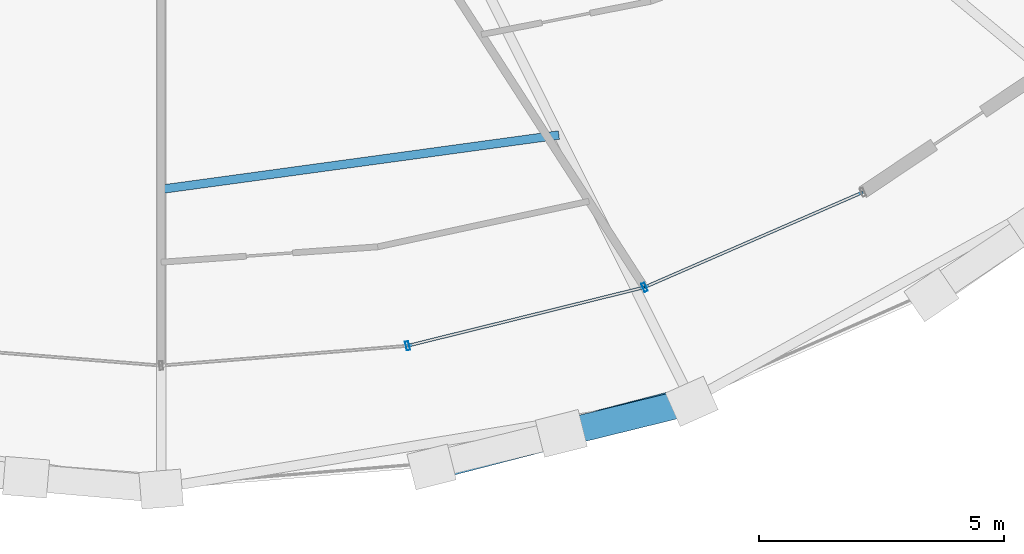
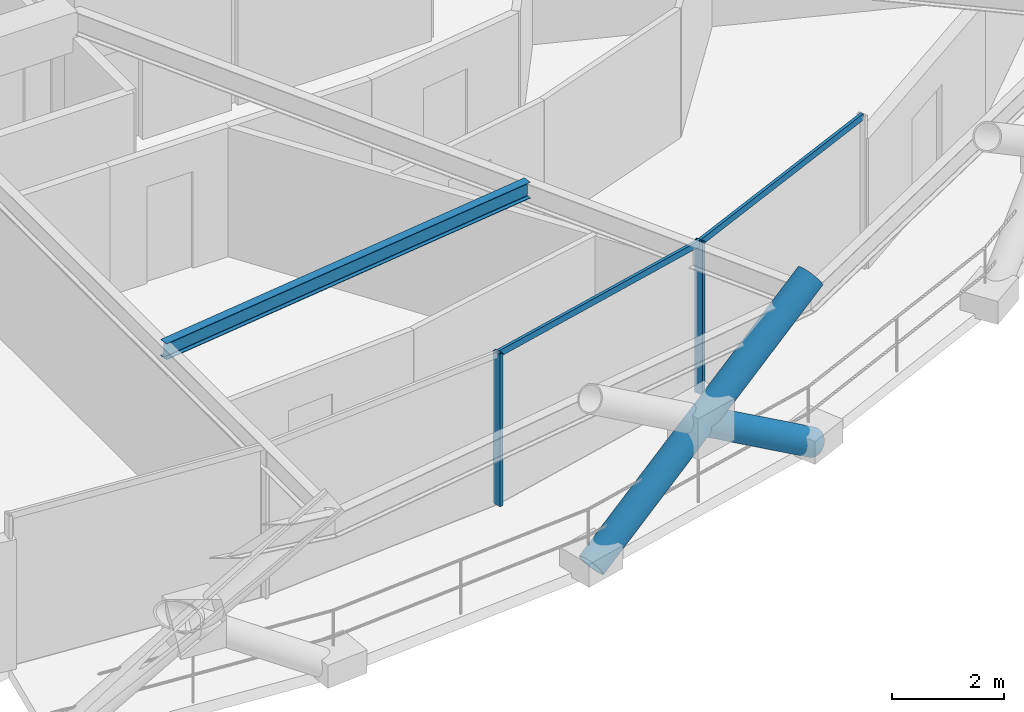
# One storey, part 4 of 20: 6 members, 1 beam, 1 element without a shape of its own.
"""IFC4 building model written with IfcOpenShell, lengths in metres."""

from ifc_helpers import new_model, si_unit, direction, frame, origin, origin_2d, place, context, subcontext, project, spatial, hollow_rectangle, hollow_circle, i_section, extrude, material, layer, layer_set, material_profile, profile_set, type_object, element, aggregate, save


model = new_model("IFC4")

# Units and contexts
model_context = context("Model", 3, precision=1e-05, world=origin(), true_north=direction((0.0, 1.0)))
body_context = subcontext(model_context, "Body", "Model", "MODEL_VIEW")
ifc_project = project(units=[si_unit("LENGTHUNIT", "METRE"), si_unit("AREAUNIT", "SQUARE_METRE"), si_unit("VOLUMEUNIT", "CUBIC_METRE"), si_unit("PLANEANGLEUNIT", "RADIAN"), si_unit("MASSUNIT", "GRAM", prefix="KILO")], contexts=[model_context])

# Site, building, storey
site_placement = place(None, origin())
site = spatial("IfcSite", under=ifc_project, at=site_placement, CompositionType="ELEMENT")
building_placement = place(site_placement, origin())
building = spatial("IfcBuilding", under=site, at=building_placement, Name="Veldorina Hangang Commons", CompositionType="ELEMENT")
storey_placement = place(building_placement, frame((0.0, 0.0, 153.199951171875)))
storey = spatial("IfcBuildingStorey", under=building, at=storey_placement, Name="L39", CompositionType="ELEMENT", Elevation=153.199951171875)

# Beam
ifc_material_1 = material(Name="Steel SM355-TMC", Category="steel")
ifc_material_profile_1 = material_profile(ifc_material_1, i_section(OverallWidth=0.175048828125, OverallDepth=0.35009765625, WebThickness=0.007080078125, FlangeThickness=0.010986328125, FilletRadius=0.012939453125, at=origin_2d()), Name="H-350x175x7x11")
ifc_profile_set_1 = profile_set([ifc_material_profile_1], Name="Steel SM355-TMC")
beam_type = type_object("IfcBeamType", Name="BM-JST350", PredefinedType="JOIST", material=ifc_profile_set_1)
beam_placement = place(storey_placement, frame((32.0, 6.618408203125, 3.175048828125), z_axis=(0.990809469728, 0.135264905637, 0.0), x_axis=(-0.135264905637, 0.990809469728, 0.0)))
element("IfcBeam", 1, at=beam_placement, inside=storey, type_object=beam_type, Name="L39 secondary floor joist 13", PredefinedType="JOIST", context=body_context, shape_type="SweptSolid", body=[
    extrude(i_section(OverallWidth=0.175048828125, OverallDepth=0.35009765625, WebThickness=0.007080078125, FlangeThickness=0.010986328125, FilletRadius=0.012939453125, at=origin_2d()), origin(), (0.0, 0.0, 1.0), 8.18701171875),
])

# Curtain wall, members
ifc_material_2 = material(Name="Glass Low-E Triple IGU", Category="glass")
ifc_layer = layer(ifc_material_2, 0.179931640625)
ifc_layer_set = layer_set([ifc_layer], Name="Glass Low-E Triple IGU")
curtain_wall_type = type_object("IfcCurtainWallType", Name="CW-SYS-Z2", PredefinedType="NOTDEFINED", material=ifc_layer_set)
curtain_wall_placement = place(storey_placement, origin())
curtain_wall = element("IfcCurtainWall", 2, at=curtain_wall_placement, inside=storey, type_object=curtain_wall_type, Name="L39 unitised curtain wall CW-L39-R1", PredefinedType="NOTDEFINED")
ifc_material_3 = material(Name="Aluminium Anodized AA6063-T6", Category="aluminium")
ifc_material_profile_2 = material_profile(ifc_material_3, hollow_rectangle(XDim=0.070068359375, YDim=0.179931640625, WallThickness=0.00390625, at=origin_2d()), Name="ALU-RHS-180x70x4")
ifc_profile_set_2 = profile_set([ifc_material_profile_2], Name="Aluminium Anodized AA6063-T6")
member_type_1 = type_object("IfcMemberType", Name="CW-MUL-180", PredefinedType="MULLION", material=ifc_profile_set_2)
member_1_placement = place(storey_placement, frame((37.025634765625, 3.4267578125, 0.0), z_axis=(0.0, 0.0, 1.0), x_axis=(0.970825393657, 0.239787520592, 0.0)))
member_1 = element("IfcMember", 3, at=member_1_placement, type_object=member_type_1, Name="CW-L39-R1 vertical mullion 3", PredefinedType="MULLION", context=body_context, shape_type="SweptSolid", body=[
    extrude(hollow_rectangle(XDim=0.070068359375, YDim=0.179931640625, WallThickness=0.00390625, at=origin_2d()), origin(), (0.0, 0.0, 1.0), 3.31005859375),
])
member_2_placement = place(storey_placement, frame((41.858154296875, 4.620361328125, 0.0), z_axis=(0.0, 0.0, 1.0), x_axis=(0.916906898134, 0.399101165312, 0.0)))
member_2 = element("IfcMember", 4, at=member_2_placement, type_object=member_type_1, Name="CW-L39-R1 vertical mullion 4", PredefinedType="MULLION", context=body_context, shape_type="SweptSolid", body=[
    extrude(hollow_rectangle(XDim=0.070068359375, YDim=0.179931640625, WallThickness=0.00390625, at=origin_2d()), origin(), (0.0, 0.0, 1.0), 3.31005859375),
])
ifc_material_profile_3 = material_profile(ifc_material_3, hollow_rectangle(XDim=0.06005859375, YDim=0.139892578125, WallThickness=0.00341796875, at=origin_2d()), Name="ALU-RHS-140x60x3.5")
ifc_profile_set_3 = profile_set([ifc_material_profile_3], Name="Aluminium Anodized AA6063-T6")
member_type_2 = type_object("IfcMemberType", Name="CW-TRN-140", PredefinedType="USERDEFINED", material=ifc_profile_set_3)
member_3_placement = place(storey_placement, frame((37.025634765625, 3.4267578125, 3.27001953125), z_axis=(0.970825262324, 0.239788052314, 0.0), x_axis=(-0.239788052314, 0.970825262324, 0.0)))
member_3 = element("IfcMember", 5, at=member_3_placement, type_object=member_type_2, Name="CW-L39-R1 facet 3 transom 1", ObjectType="TRANSOM", PredefinedType="USERDEFINED", context=body_context, shape_type="SweptSolid", body=[
    extrude(hollow_rectangle(XDim=0.06005859375, YDim=0.139892578125, WallThickness=0.00341796875, at=origin_2d()), origin(), (0.0, 0.0, 1.0), 4.977783203125),
])
member_4_placement = place(storey_placement, frame((41.858154296875, 4.620361328125, 3.27001953125), z_axis=(0.916910161642, 0.399093667549, 0.0), x_axis=(-0.399093667549, 0.916910161642, 0.0)))
member_4 = element("IfcMember", 6, at=member_4_placement, type_object=member_type_2, Name="CW-L39-R1 facet 4 transom 1", ObjectType="TRANSOM", PredefinedType="USERDEFINED", context=body_context, shape_type="SweptSolid", body=[
    extrude(hollow_rectangle(XDim=0.06005859375, YDim=0.139892578125, WallThickness=0.00341796875, at=origin_2d()), origin(), (0.0, 0.0, 1.0), 4.857177734375),
])
aggregate(curtain_wall, [member_1, member_2, member_3, member_4])

# Members
ifc_material_4 = material(Name="Steel SM420-TMC", Category="steel")
ifc_material_profile_4 = material_profile(ifc_material_4, hollow_circle(Radius=0.27490234375, WallThickness=0.028076171875, at=origin_2d()), Name="CHS-550x28")
ifc_profile_set_4 = profile_set([ifc_material_profile_4], Name="Steel SM420-TMC")
member_type_3 = type_object("IfcMemberType", Name="DG-CHS550", PredefinedType="BRACE", material=ifc_profile_set_4)
member_5_placement = place(storey_placement, frame((37.517333984375, 0.955078125, 0.0), z_axis=(0.808353213458, 0.20893717282, 0.55037291004), x_axis=(-0.250248448424, 0.968181653442, 0.0)))
element("IfcMember", 7, at=member_5_placement, inside=storey, type_object=member_type_3, Name="L39 continuous perimeter diagrid brace 25", PredefinedType="BRACE", context=body_context, shape_type="SweptSolid", body=[
    extrude(hollow_circle(Radius=0.27490234375, WallThickness=0.028076171875, at=origin_2d()), origin(), (0.0, 0.0, 1.0), 6.541259765625),
])
member_6_placement = place(storey_placement, frame((42.822509765625, 2.292236328125, 0.0), z_axis=(-0.811286924094, -0.199320951972, 0.549622311136), x_axis=(0.238589643591, -0.971120477578, 0.0)))
element("IfcMember", 8, at=member_6_placement, inside=storey, type_object=member_type_3, Name="L39 split perimeter diagrid lower brace 26", PredefinedType="BRACE", context=body_context, shape_type="SweptSolid", body=[
    extrude(hollow_circle(Radius=0.27490234375, WallThickness=0.028076171875, at=origin_2d()), origin(), (0.0, 0.0, 1.0), 3.27783203125),
])

save(model, "model.ifc")
